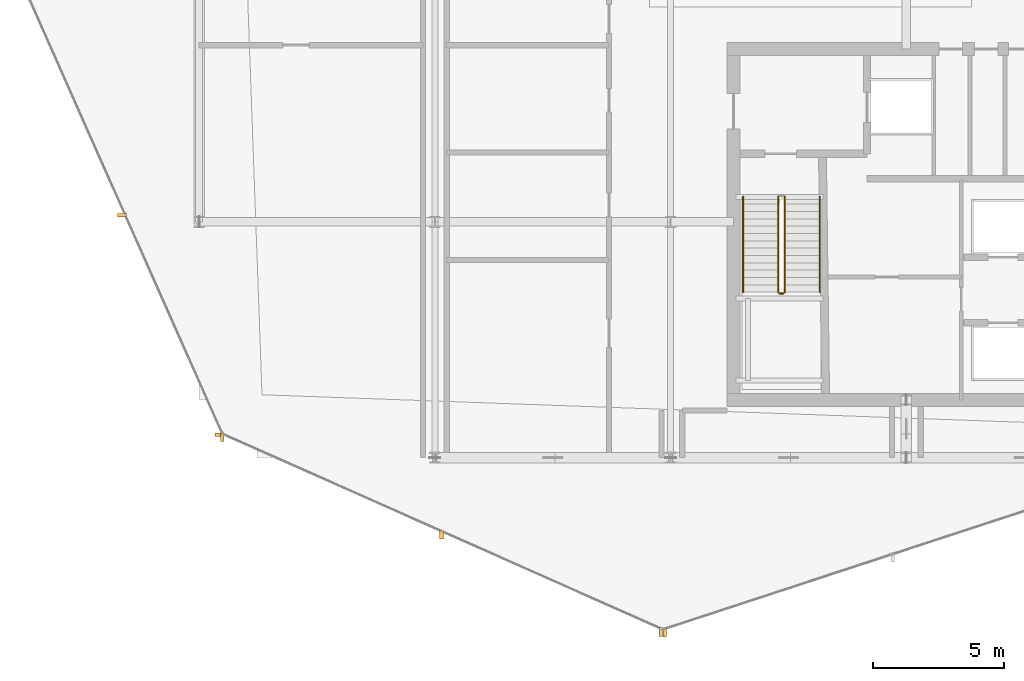
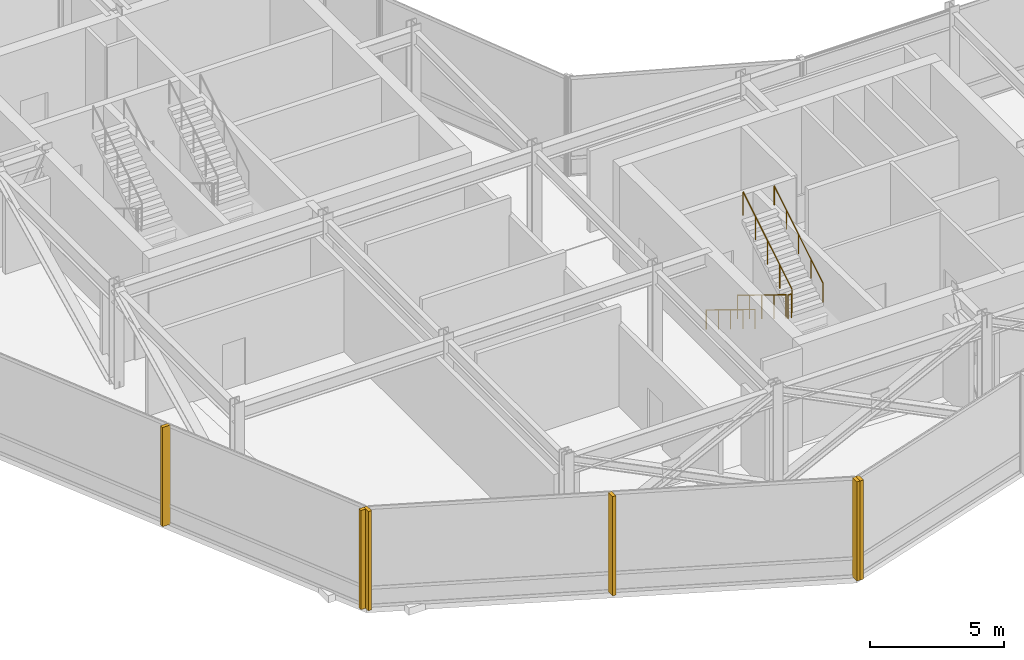
# One storey, part 25 of 30: 6 shading devices, 5 railings.
"""IFC4 building model written with IfcOpenShell, lengths in metres."""

from ifc_helpers import new_model, si_unit, direction, frame, origin, origin_2d, place, context, subcontext, project, spatial, rectangle, circle, extrude, material, type_object, element, save


model = new_model("IFC4")

# Units and contexts
model_context = context("Model", 3, precision=1e-05, world=origin(), true_north=direction((0.0, 1.0)))
body_context = subcontext(model_context, "Body", "Model", "MODEL_VIEW")
ifc_project = project(units=[si_unit("LENGTHUNIT", "METRE"), si_unit("AREAUNIT", "SQUARE_METRE"), si_unit("VOLUMEUNIT", "CUBIC_METRE"), si_unit("PLANEANGLEUNIT", "RADIAN"), si_unit("MASSUNIT", "GRAM", prefix="KILO")], contexts=[model_context])

# Site, building, storey
site_placement = place(None, origin())
site = spatial("IfcSite", under=ifc_project, at=site_placement, CompositionType="ELEMENT")
building_placement = place(site_placement, origin())
building = spatial("IfcBuilding", under=site, at=building_placement, Name="Solvaryn Broadcast Tower", CompositionType="ELEMENT")
storey_placement = place(building_placement, frame((0.0, 0.0, 196.39990234375)))
storey = spatial("IfcBuildingStorey", under=building, at=storey_placement, Name="L49", CompositionType="ELEMENT", Elevation=196.39990234375)

# Railings
ifc_material_1 = material(Name="Painted Steel Stair Well Guard", Category="steel")
railing_type_1 = type_object("IfcRailingType", Name="RL-STAIR-GUARD", PredefinedType="BALUSTRADE", material=ifc_material_1)
railing_1_placement = place(storey_placement, frame((31.110107421875, 18.9599609375, 0.171630859375)))
element("IfcRailing", 1, at=railing_1_placement, inside=storey, type_object=railing_type_1, Name="L49 ST3 stair guard 1", PredefinedType="BALUSTRADE", context=body_context, shape_type="SweptSolid", body=[
    extrude(circle(Radius=0.02392578125, at=origin_2d()), frame((0.0, 0.0, 1.076171875), z_axis=(0.0, -0.852850264322, 0.5221555579), x_axis=(1.0, 0.0, 0.0)), (0.0, 0.0, 1.0), 4.267822265625),
    extrude(circle(Radius=0.02099609375, at=origin_2d()), origin(), (0.0, 0.0, 1.0), 1.052001953125),
    extrude(circle(Radius=0.02099609375, at=origin_2d()), frame((0.0, -0.909912109375, 0.55712890625)), (0.0, 0.0, 1.0), 1.052001953125),
    extrude(circle(Radius=0.02099609375, at=origin_2d()), frame((0.0, -1.81982421875, 1.1142578125)), (0.0, 0.0, 1.0), 1.052001953125),
    extrude(circle(Radius=0.02099609375, at=origin_2d()), frame((0.0, -2.72998046875, 1.67138671875)), (0.0, 0.0, 1.0), 1.052001953125),
    extrude(circle(Radius=0.02099609375, at=origin_2d()), frame((0.0, -3.639892578125, 2.228515625)), (0.0, 0.0, 1.0), 1.052001953125),
])
railing_2_placement = place(storey_placement, frame((31.159912109375, 15.27001953125, 2.400146484375)))
element("IfcRailing", 2, at=railing_2_placement, inside=storey, type_object=railing_type_1, Name="L49 ST3 stair guard 2", PredefinedType="BALUSTRADE", context=body_context, shape_type="SweptSolid", body=[
    extrude(circle(Radius=0.02392578125, at=origin_2d()), frame((0.0, 0.0, 1.076171875), z_axis=(1.0, 0.0, 0.0), x_axis=(0.0, 1.0, 0.0)), (0.0, 0.0, 1.0), 0.150146484375),
    extrude(circle(Radius=0.02099609375, at=origin_2d()), origin(), (0.0, 0.0, 1.0), 1.052001953125),
    extrude(circle(Radius=0.02099609375, at=origin_2d()), frame((0.150146484375, 0.0, 0.0)), (0.0, 0.0, 1.0), 1.052001953125),
])
railing_3_placement = place(storey_placement, frame((31.360107421875, 15.320068359375, 2.571533203125)))
element("IfcRailing", 3, at=railing_3_placement, inside=storey, type_object=railing_type_1, Name="L49 ST3 stair guard 3", PredefinedType="BALUSTRADE", context=body_context, shape_type="SweptSolid", body=[
    extrude(circle(Radius=0.02392578125, at=origin_2d()), frame((0.0, 0.0, 1.076171875), z_axis=(0.0, 0.852850264322, 0.5221555579), x_axis=(-1.0, 0.0, 0.0)), (0.0, 0.0, 1.0), 4.267822265625),
    extrude(circle(Radius=0.02099609375, at=origin_2d()), origin(), (0.0, 0.0, 1.0), 1.052001953125),
    extrude(circle(Radius=0.02099609375, at=origin_2d()), frame((0.0, 0.909912109375, 0.55712890625)), (0.0, 0.0, 1.0), 1.052001953125),
    extrude(circle(Radius=0.02099609375, at=origin_2d()), frame((0.0, 1.81982421875, 1.1142578125)), (0.0, 0.0, 1.0), 1.052001953125),
    extrude(circle(Radius=0.02099609375, at=origin_2d()), frame((0.0, 2.72998046875, 1.67138671875)), (0.0, 0.0, 1.0), 1.052001953125),
    extrude(circle(Radius=0.02099609375, at=origin_2d()), frame((0.0, 3.639892578125, 2.228515625)), (0.0, 0.0, 1.0), 1.052001953125),
])
ifc_material_2 = material(Name="Brushed Stainless Steel Tubular Handrail", Category="steel")
railing_type_2 = type_object("IfcRailingType", Name="RL-STAIR-HANDRAIL", PredefinedType="HANDRAIL", material=ifc_material_2)
railing_4_placement = place(storey_placement, frame((29.77001953125, 18.9599609375, 0.171630859375)))
element("IfcRailing", 4, at=railing_4_placement, inside=storey, type_object=railing_type_2, Name="L49 ST3 stair handrail 1", PredefinedType="HANDRAIL", context=body_context, shape_type="SweptSolid", body=[
    extrude(circle(Radius=0.02392578125, at=origin_2d()), frame((0.0, 0.0, 0.8759765625), z_axis=(0.0, -0.852850264322, 0.5221555579), x_axis=(1.0, 0.0, 0.0)), (0.0, 0.0, 1.0), 4.267822265625),
    extrude(circle(Radius=0.02099609375, at=origin_2d()), origin(), (0.0, 0.0, 1.0), 0.851806640625),
    extrude(circle(Radius=0.02099609375, at=origin_2d()), frame((0.0, -0.909912109375, 0.55712890625)), (0.0, 0.0, 1.0), 0.851806640625),
    extrude(circle(Radius=0.02099609375, at=origin_2d()), frame((0.0, -1.81982421875, 1.1142578125)), (0.0, 0.0, 1.0), 0.851806640625),
    extrude(circle(Radius=0.02099609375, at=origin_2d()), frame((0.0, -2.72998046875, 1.67138671875)), (0.0, 0.0, 1.0), 0.851806640625),
    extrude(circle(Radius=0.02099609375, at=origin_2d()), frame((0.0, -3.639892578125, 2.228515625)), (0.0, 0.0, 1.0), 0.851806640625),
])
railing_5_placement = place(storey_placement, frame((32.699951171875, 15.320068359375, 2.571533203125)))
element("IfcRailing", 5, at=railing_5_placement, inside=storey, type_object=railing_type_2, Name="L49 ST3 stair handrail 2", PredefinedType="HANDRAIL", context=body_context, shape_type="SweptSolid", body=[
    extrude(circle(Radius=0.02392578125, at=origin_2d()), frame((0.0, 0.0, 0.8759765625), z_axis=(0.0, 0.852850264322, 0.5221555579), x_axis=(-1.0, 0.0, 0.0)), (0.0, 0.0, 1.0), 4.267822265625),
    extrude(circle(Radius=0.02099609375, at=origin_2d()), origin(), (0.0, 0.0, 1.0), 0.851806640625),
    extrude(circle(Radius=0.02099609375, at=origin_2d()), frame((0.0, 0.909912109375, 0.55712890625)), (0.0, 0.0, 1.0), 0.851806640625),
    extrude(circle(Radius=0.02099609375, at=origin_2d()), frame((0.0, 1.81982421875, 1.1142578125)), (0.0, 0.0, 1.0), 0.851806640625),
    extrude(circle(Radius=0.02099609375, at=origin_2d()), frame((0.0, 2.72998046875, 1.67138671875)), (0.0, 0.0, 1.0), 0.851806640625),
    extrude(circle(Radius=0.02099609375, at=origin_2d()), frame((0.0, 3.639892578125, 2.228515625)), (0.0, 0.0, 1.0), 0.851806640625),
])

# Shading devices
ifc_material_3 = material(Name="Anodised Aluminium Acoustic Louvre", Category="aluminium")
shading_device_type = type_object("IfcShadingDeviceType", Name="LV-01 Plant Intake Louvre", PredefinedType="USERDEFINED", material=ifc_material_3)
for number, where, z_axis, x_axis, name in (
    (6, (6.055908203125, 18.25341796875, 0.0), (0.0, 0.0, 1.0), (1.0, 0.0, 0.0), "L49 Plant Acoustic Louvre LV-CW-L49-DR2/M01"),
    (7, (9.7763671875, 9.876953125, 0.0), (0.0, 0.0, 1.0), (1.0, 0.0, 0.0), "L49 Plant Acoustic Louvre LV-CW-L49-DR2/M02"),
):
    element("IfcShadingDevice", number, at=place(storey_placement, frame(where, z_axis=z_axis, x_axis=x_axis)), inside=storey, type_object=shading_device_type, Name=name, ObjectType="LOUVRE", PredefinedType="USERDEFINED", context=body_context, shape_type="SweptSolid", body=[
        extrude(rectangle(XDim=0.340087890625, YDim=0.139892578125, at=origin_2d()), origin(), (0.0, 0.0, 1.0), 4.52001953125),
    ])
for number, where, z_axis, x_axis, name in (
    (8, (9.876953125, 9.7763671875, 0.0), (0.0, 0.0, 1.0), (1.0, 0.0, 0.0), "L49 Plant Acoustic Louvre LV-CW-L49-DR3/M00"),
    (9, (18.25341796875, 6.055908203125, 0.0), (0.0, 0.0, 1.0), (1.0, 0.0, 0.0), "L49 Plant Acoustic Louvre LV-CW-L49-DR3/M01"),
    (10, (26.630126953125, 2.335693359375, 0.0), (0.0, 0.0, 1.0), (1.0, 0.0, 0.0), "L49 Plant Acoustic Louvre LV-CW-L49-DR3/M02"),
    (11, (26.77197265625, 2.328369140625, 0.0), (0.0, 0.0, 1.0), (1.0, 0.0, 0.0), "L49 Plant Acoustic Louvre LV-CW-L49-DR4/M00"),
):
    element("IfcShadingDevice", number, at=place(storey_placement, frame(where, z_axis=z_axis, x_axis=x_axis)), inside=storey, type_object=shading_device_type, Name=name, ObjectType="LOUVRE", PredefinedType="USERDEFINED", context=body_context, shape_type="SweptSolid", body=[
        extrude(rectangle(XDim=0.139892578125, YDim=0.340087890625, at=origin_2d()), origin(), (0.0, 0.0, 1.0), 4.52001953125),
    ])

save(model, "model.ifc")
